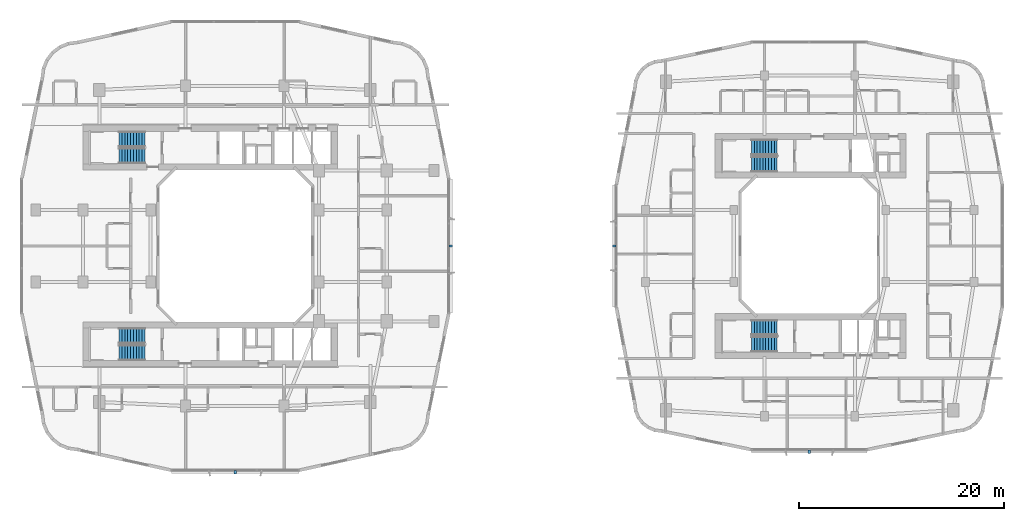
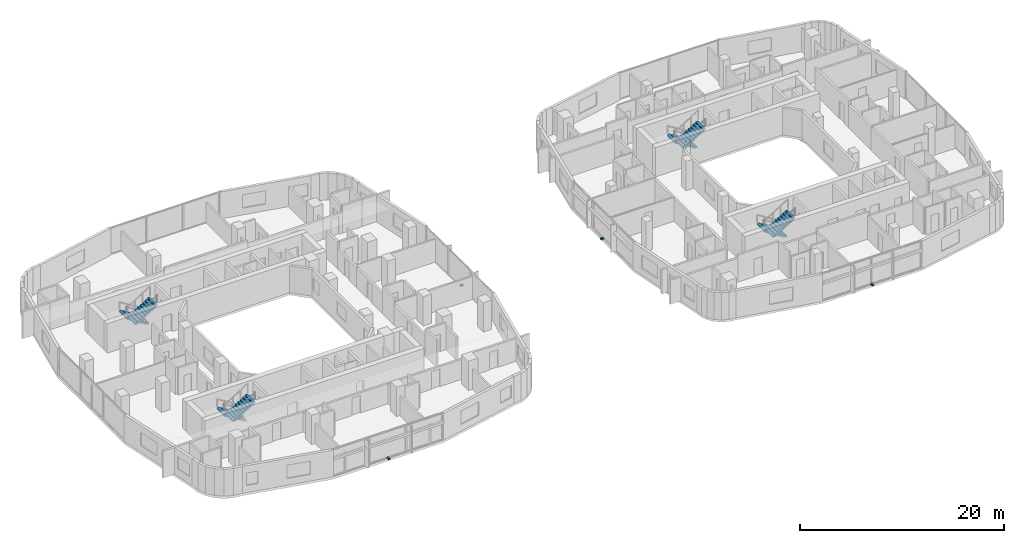
# One storey, part 22 of 27: 8 stair flights, 4 discrete accessories, 4 elements without a shape of their own.
"""IFC4 building model written with IfcOpenShell, lengths in metres."""

from ifc_helpers import new_model, si_unit, derived_unit, direction, frame, origin, origin_2d, place, context, subcontext, project, spatial, polyline, rectangle, outline, extrude, material, type_object, element, aggregate, save


model = new_model("IFC4")

# Units and contexts
model_context = context("Model", 3, precision=1e-05, world=origin(), true_north=direction((0.0, 1.0)))
body_context = subcontext(model_context, "Body", "Model", "MODEL_VIEW")
ifc_project = project(units=[si_unit("LENGTHUNIT", "METRE"), si_unit("AREAUNIT", "SQUARE_METRE"), si_unit("VOLUMEUNIT", "CUBIC_METRE"), si_unit("PLANEANGLEUNIT", "RADIAN"), si_unit("MASSUNIT", "GRAM", prefix="KILO"), derived_unit("THERMALTRANSMITTANCEUNIT", [(si_unit("POWERUNIT", "WATT"), 1), (si_unit("LENGTHUNIT", "METRE"), -2), (si_unit("THERMODYNAMICTEMPERATUREUNIT", "KELVIN"), -1)])], contexts=[model_context])

# Site, building, storey
site_placement = place(None, origin())
site = spatial("IfcSite", under=ifc_project, at=site_placement, CompositionType="ELEMENT")
building_placement = place(site_placement, origin())
building = spatial("IfcBuilding", under=site, at=building_placement, Name="Kivonza Crest Hotel", CompositionType="ELEMENT")
storey_placement = place(building_placement, frame((0.0, 0.0, 34.5)))
storey = spatial("IfcBuildingStorey", under=building, at=storey_placement, Name="L08", CompositionType="ELEMENT", Elevation=34.5)

# Stair, stair flights
ifc_material_1 = material(Name="Concrete C40/50", Category="concrete")
stair_type = type_object("IfcStairType", Name="ST-DL-20R", PredefinedType="HALF_TURN_STAIR", material=ifc_material_1)
stair_1_placement = place(storey_placement, origin())
stair_1 = element("IfcStair", 1, at=stair_1_placement, inside=storey, type_object=stair_type, Name="L08 Protected Exit Stair ST-T1-N", PredefinedType="HALF_TURN_STAIR")
stair_flight_type = type_object("IfcStairFlightType", Name="SFL-RC-10R", PredefinedType="STRAIGHT", material=ifc_material_1)
stair_flight_1_placement = place(storey_placement, frame((12.239990234375, 35.409912109375, 0.0), z_axis=(0.0, 0.0, 1.0), x_axis=(-1.0, 0.0, 0.0)))
stair_flight_1 = element("IfcStairFlight", 2, at=stair_flight_1_placement, type_object=stair_flight_type, Name="ST-T1-N flight 1", NumberOfRisers=10, NumberOfTreads=9, PredefinedType="STRAIGHT", RiserHeight=0.175, TreadLength=0.28, context=body_context, shape_type="SweptSolid", body=[
    extrude(outline(polyline([(0.0, 0.0), (0.0, 0.175048828125), (0.280029296875, 0.175048828125), (0.280029296875, 0.35009765625), (0.56005859375, 0.35009765625), (0.56005859375, 0.52490234375), (0.840087890625, 0.52490234375), (0.840087890625, 0.699951171875), (1.1201171875, 0.699951171875), (1.1201171875, 0.875), (1.39990234375, 0.875), (1.39990234375, 1.050048828125), (1.679931640625, 1.050048828125), (1.679931640625, 1.22509765625), (1.9599609375, 1.22509765625), (1.9599609375, 1.39990234375), (2.239990234375, 1.39990234375), (2.239990234375, 1.574951171875), (2.52001953125, 1.574951171875), (2.52001953125, 1.75), (2.52001953125, 1.398193359375), (0.28271484375, 0.0), (0.0, 0.0)])), frame((0.0, 0.75, 0.0), z_axis=(0.0, -1.0, 0.0), x_axis=(1.0, 0.0, 0.0)), (0.0, 0.0, 1.0), 1.5),
])
stair_flight_2_placement = place(storey_placement, frame((9.719970703125, 33.77001953125, 1.75), z_axis=(0.0, 0.0, 1.0), x_axis=(1.0, 0.0, 0.0)))
stair_flight_2 = element("IfcStairFlight", 3, at=stair_flight_2_placement, type_object=stair_flight_type, Name="ST-T1-N flight 2", NumberOfRisers=10, NumberOfTreads=9, PredefinedType="STRAIGHT", RiserHeight=0.175, TreadLength=0.28, context=body_context, shape_type="SweptSolid", body=[
    extrude(outline(polyline([(0.0, 0.0), (0.0, 0.175048828125), (0.280029296875, 0.175048828125), (0.280029296875, 0.35009765625), (0.56005859375, 0.35009765625), (0.56005859375, 0.52490234375), (0.840087890625, 0.52490234375), (0.840087890625, 0.699951171875), (1.1201171875, 0.699951171875), (1.1201171875, 0.875), (1.39990234375, 0.875), (1.39990234375, 1.050048828125), (1.679931640625, 1.050048828125), (1.679931640625, 1.22509765625), (1.9599609375, 1.22509765625), (1.9599609375, 1.39990234375), (2.239990234375, 1.39990234375), (2.239990234375, 1.574951171875), (2.52001953125, 1.574951171875), (2.52001953125, 1.75), (2.52001953125, 1.398193359375), (0.28271484375, 0.0), (0.0, 0.0)])), frame((0.0, 0.75, 0.0), z_axis=(0.0, -1.0, 0.0), x_axis=(1.0, 0.0, 0.0)), (0.0, 0.0, 1.0), 1.5),
])
aggregate(stair_1, [stair_flight_1, stair_flight_2])

stair_2_placement = place(storey_placement, origin())
stair_2 = element("IfcStair", 4, at=stair_2_placement, inside=storey, type_object=stair_type, Name="L08 Protected Exit Stair ST-T1-S", PredefinedType="HALF_TURN_STAIR")
stair_flight_3_placement = place(storey_placement, frame((12.239990234375, 16.25, 0.0), z_axis=(0.0, 0.0, 1.0), x_axis=(-1.0, 0.0, 0.0)))
stair_flight_3 = element("IfcStairFlight", 5, at=stair_flight_3_placement, type_object=stair_flight_type, Name="ST-T1-S flight 1", NumberOfRisers=10, NumberOfTreads=9, PredefinedType="STRAIGHT", RiserHeight=0.175, TreadLength=0.28, context=body_context, shape_type="SweptSolid", body=[
    extrude(outline(polyline([(0.0, 0.0), (0.0, 0.175048828125), (0.280029296875, 0.175048828125), (0.280029296875, 0.35009765625), (0.56005859375, 0.35009765625), (0.56005859375, 0.52490234375), (0.840087890625, 0.52490234375), (0.840087890625, 0.699951171875), (1.1201171875, 0.699951171875), (1.1201171875, 0.875), (1.39990234375, 0.875), (1.39990234375, 1.050048828125), (1.679931640625, 1.050048828125), (1.679931640625, 1.22509765625), (1.9599609375, 1.22509765625), (1.9599609375, 1.39990234375), (2.239990234375, 1.39990234375), (2.239990234375, 1.574951171875), (2.52001953125, 1.574951171875), (2.52001953125, 1.75), (2.52001953125, 1.398193359375), (0.28271484375, 0.0), (0.0, 0.0)])), frame((0.0, 0.75, 0.0), z_axis=(0.0, -1.0, 0.0), x_axis=(1.0, 0.0, 0.0)), (0.0, 0.0, 1.0), 1.5),
])
stair_flight_4_placement = place(storey_placement, frame((9.719970703125, 14.610107421875, 1.75), z_axis=(0.0, 0.0, 1.0), x_axis=(1.0, 0.0, 0.0)))
stair_flight_4 = element("IfcStairFlight", 6, at=stair_flight_4_placement, type_object=stair_flight_type, Name="ST-T1-S flight 2", NumberOfRisers=10, NumberOfTreads=9, PredefinedType="STRAIGHT", RiserHeight=0.175, TreadLength=0.28, context=body_context, shape_type="SweptSolid", body=[
    extrude(outline(polyline([(0.0, 0.0), (0.0, 0.175048828125), (0.280029296875, 0.175048828125), (0.280029296875, 0.35009765625), (0.56005859375, 0.35009765625), (0.56005859375, 0.52490234375), (0.840087890625, 0.52490234375), (0.840087890625, 0.699951171875), (1.1201171875, 0.699951171875), (1.1201171875, 0.875), (1.39990234375, 0.875), (1.39990234375, 1.050048828125), (1.679931640625, 1.050048828125), (1.679931640625, 1.22509765625), (1.9599609375, 1.22509765625), (1.9599609375, 1.39990234375), (2.239990234375, 1.39990234375), (2.239990234375, 1.574951171875), (2.52001953125, 1.574951171875), (2.52001953125, 1.75), (2.52001953125, 1.398193359375), (0.28271484375, 0.0), (0.0, 0.0)])), frame((0.0, 0.75, 0.0), z_axis=(0.0, -1.0, 0.0), x_axis=(1.0, 0.0, 0.0)), (0.0, 0.0, 1.0), 1.5),
])
aggregate(stair_2, [stair_flight_3, stair_flight_4])

stair_3_placement = place(storey_placement, origin())
stair_3 = element("IfcStair", 7, at=stair_3_placement, inside=storey, type_object=stair_type, Name="L08 Protected Exit Stair ST-T2-N", PredefinedType="HALF_TURN_STAIR")
stair_flight_5_placement = place(storey_placement, frame((73.840087890625, 34.610107421875, 0.0), z_axis=(0.0, 0.0, 1.0), x_axis=(-1.0, 0.0, 0.0)))
stair_flight_5 = element("IfcStairFlight", 8, at=stair_flight_5_placement, type_object=stair_flight_type, Name="ST-T2-N flight 1", NumberOfRisers=10, NumberOfTreads=9, PredefinedType="STRAIGHT", RiserHeight=0.175, TreadLength=0.28, context=body_context, shape_type="SweptSolid", body=[
    extrude(outline(polyline([(0.0, 0.0), (0.0, 0.175048828125), (0.280029296875, 0.175048828125), (0.280029296875, 0.35009765625), (0.56005859375, 0.35009765625), (0.56005859375, 0.52490234375), (0.840087890625, 0.52490234375), (0.840087890625, 0.699951171875), (1.1201171875, 0.699951171875), (1.1201171875, 0.875), (1.39990234375, 0.875), (1.39990234375, 1.050048828125), (1.679931640625, 1.050048828125), (1.679931640625, 1.22509765625), (1.9599609375, 1.22509765625), (1.9599609375, 1.39990234375), (2.239990234375, 1.39990234375), (2.239990234375, 1.574951171875), (2.52001953125, 1.574951171875), (2.52001953125, 1.75), (2.52001953125, 1.398193359375), (0.28271484375, 0.0), (0.0, 0.0)])), frame((0.0, 0.75, 0.0), z_axis=(0.0, -1.0, 0.0), x_axis=(1.0, 0.0, 0.0)), (0.0, 0.0, 1.0), 1.5),
])
stair_flight_6_placement = place(storey_placement, frame((71.320068359375, 32.969970703125, 1.75), z_axis=(0.0, 0.0, 1.0), x_axis=(1.0, 0.0, 0.0)))
stair_flight_6 = element("IfcStairFlight", 9, at=stair_flight_6_placement, type_object=stair_flight_type, Name="ST-T2-N flight 2", NumberOfRisers=10, NumberOfTreads=9, PredefinedType="STRAIGHT", RiserHeight=0.175, TreadLength=0.28, context=body_context, shape_type="SweptSolid", body=[
    extrude(outline(polyline([(0.0, 0.0), (0.0, 0.175048828125), (0.280029296875, 0.175048828125), (0.280029296875, 0.35009765625), (0.56005859375, 0.35009765625), (0.56005859375, 0.52490234375), (0.840087890625, 0.52490234375), (0.840087890625, 0.699951171875), (1.1201171875, 0.699951171875), (1.1201171875, 0.875), (1.39990234375, 0.875), (1.39990234375, 1.050048828125), (1.679931640625, 1.050048828125), (1.679931640625, 1.22509765625), (1.9599609375, 1.22509765625), (1.9599609375, 1.39990234375), (2.239990234375, 1.39990234375), (2.239990234375, 1.574951171875), (2.52001953125, 1.574951171875), (2.52001953125, 1.75), (2.52001953125, 1.398193359375), (0.28271484375, 0.0), (0.0, 0.0)])), frame((0.0, 0.75, 0.0), z_axis=(0.0, -1.0, 0.0), x_axis=(1.0, 0.0, 0.0)), (0.0, 0.0, 1.0), 1.5),
])
aggregate(stair_3, [stair_flight_5, stair_flight_6])

stair_4_placement = place(storey_placement, origin())
stair_4 = element("IfcStair", 10, at=stair_4_placement, inside=storey, type_object=stair_type, Name="L08 Protected Exit Stair ST-T2-S", PredefinedType="HALF_TURN_STAIR")
stair_flight_7_placement = place(storey_placement, frame((73.840087890625, 17.050048828125, 0.0), z_axis=(0.0, 0.0, 1.0), x_axis=(-1.0, 0.0, 0.0)))
stair_flight_7 = element("IfcStairFlight", 11, at=stair_flight_7_placement, type_object=stair_flight_type, Name="ST-T2-S flight 1", NumberOfRisers=10, NumberOfTreads=9, PredefinedType="STRAIGHT", RiserHeight=0.175, TreadLength=0.28, context=body_context, shape_type="SweptSolid", body=[
    extrude(outline(polyline([(0.0, 0.0), (0.0, 0.175048828125), (0.280029296875, 0.175048828125), (0.280029296875, 0.35009765625), (0.56005859375, 0.35009765625), (0.56005859375, 0.52490234375), (0.840087890625, 0.52490234375), (0.840087890625, 0.699951171875), (1.1201171875, 0.699951171875), (1.1201171875, 0.875), (1.39990234375, 0.875), (1.39990234375, 1.050048828125), (1.679931640625, 1.050048828125), (1.679931640625, 1.22509765625), (1.9599609375, 1.22509765625), (1.9599609375, 1.39990234375), (2.239990234375, 1.39990234375), (2.239990234375, 1.574951171875), (2.52001953125, 1.574951171875), (2.52001953125, 1.75), (2.52001953125, 1.398193359375), (0.28271484375, 0.0), (0.0, 0.0)])), frame((0.0, 0.75, 0.0), z_axis=(0.0, -1.0, 0.0), x_axis=(1.0, 0.0, 0.0)), (0.0, 0.0, 1.0), 1.5),
])
stair_flight_8_placement = place(storey_placement, frame((71.320068359375, 15.409912109375, 1.75), z_axis=(0.0, 0.0, 1.0), x_axis=(1.0, 0.0, 0.0)))
stair_flight_8 = element("IfcStairFlight", 12, at=stair_flight_8_placement, type_object=stair_flight_type, Name="ST-T2-S flight 2", NumberOfRisers=10, NumberOfTreads=9, PredefinedType="STRAIGHT", RiserHeight=0.175, TreadLength=0.28, context=body_context, shape_type="SweptSolid", body=[
    extrude(outline(polyline([(0.0, 0.0), (0.0, 0.175048828125), (0.280029296875, 0.175048828125), (0.280029296875, 0.35009765625), (0.56005859375, 0.35009765625), (0.56005859375, 0.52490234375), (0.840087890625, 0.52490234375), (0.840087890625, 0.699951171875), (1.1201171875, 0.699951171875), (1.1201171875, 0.875), (1.39990234375, 0.875), (1.39990234375, 1.050048828125), (1.679931640625, 1.050048828125), (1.679931640625, 1.22509765625), (1.9599609375, 1.22509765625), (1.9599609375, 1.39990234375), (2.239990234375, 1.39990234375), (2.239990234375, 1.574951171875), (2.52001953125, 1.574951171875), (2.52001953125, 1.75), (2.52001953125, 1.398193359375), (0.28271484375, 0.0), (0.0, 0.0)])), frame((0.0, 0.75, 0.0), z_axis=(0.0, -1.0, 0.0), x_axis=(1.0, 0.0, 0.0)), (0.0, 0.0, 1.0), 1.5),
])
aggregate(stair_4, [stair_flight_7, stair_flight_8])

# Discrete accessories
ifc_material_2 = material(Name="Stainless steel 316", Category="steel")
discrete_accessory_type = type_object("IfcDiscreteAccessoryType", Name="AC-BRACKET-240", PredefinedType="BRACKET", material=ifc_material_2)
for number, where, z_axis, x_axis, name in (
    (13, (21.0400390625, 2.9599609375, -0.009765625), (0.0, 0.0, 1.0), (1.0, 0.0, 0.0), "L08 terracotta baguette support bracket CW-T1-L08-08"),
    (14, (42.0400390625, 25.0, -0.009765625), (0.0, 0.0, 1.0), (0.0, 1.0, 0.0), "L08 terracotta baguette support bracket CW-T1-L08-17"),
    (15, (76.9599609375, 4.9599609375, -0.009765625), (0.0, 0.0, 1.0), (1.0, 0.0, 0.0), "L08 terracotta baguette support bracket CW-T2-L08-08"),
    (16, (57.9599609375, 25.0, -0.009765625), (0.0, 0.0, 1.0), (0.0, -1.0, 0.0), "L08 terracotta baguette support bracket CW-T2-L08-35"),
):
    element("IfcDiscreteAccessory", number, at=place(storey_placement, frame(where, z_axis=z_axis, x_axis=x_axis)), inside=storey, type_object=discrete_accessory_type, Name=name, PredefinedType="BRACKET", context=body_context, shape_type="SweptSolid", body=[
        extrude(rectangle(XDim=0.219970703125, YDim=0.340087890625, at=origin_2d()), origin(), (0.0, 0.0, 1.0), 0.179931640625),
    ])

save(model, "model.ifc")
